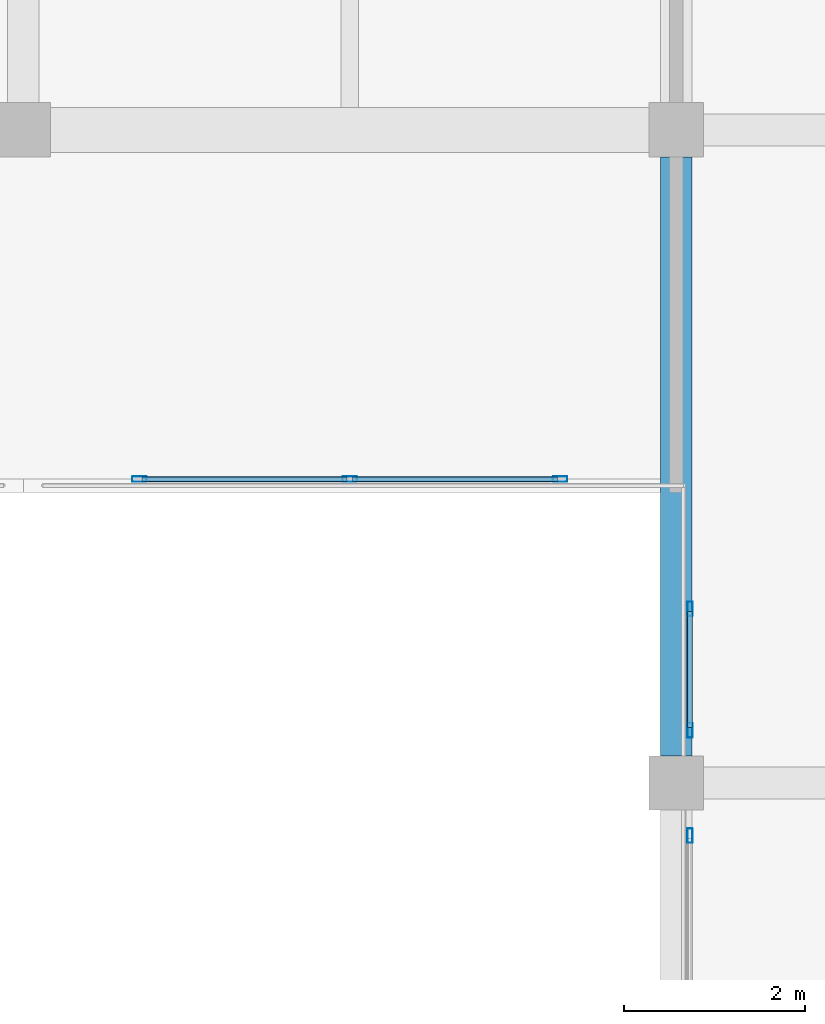
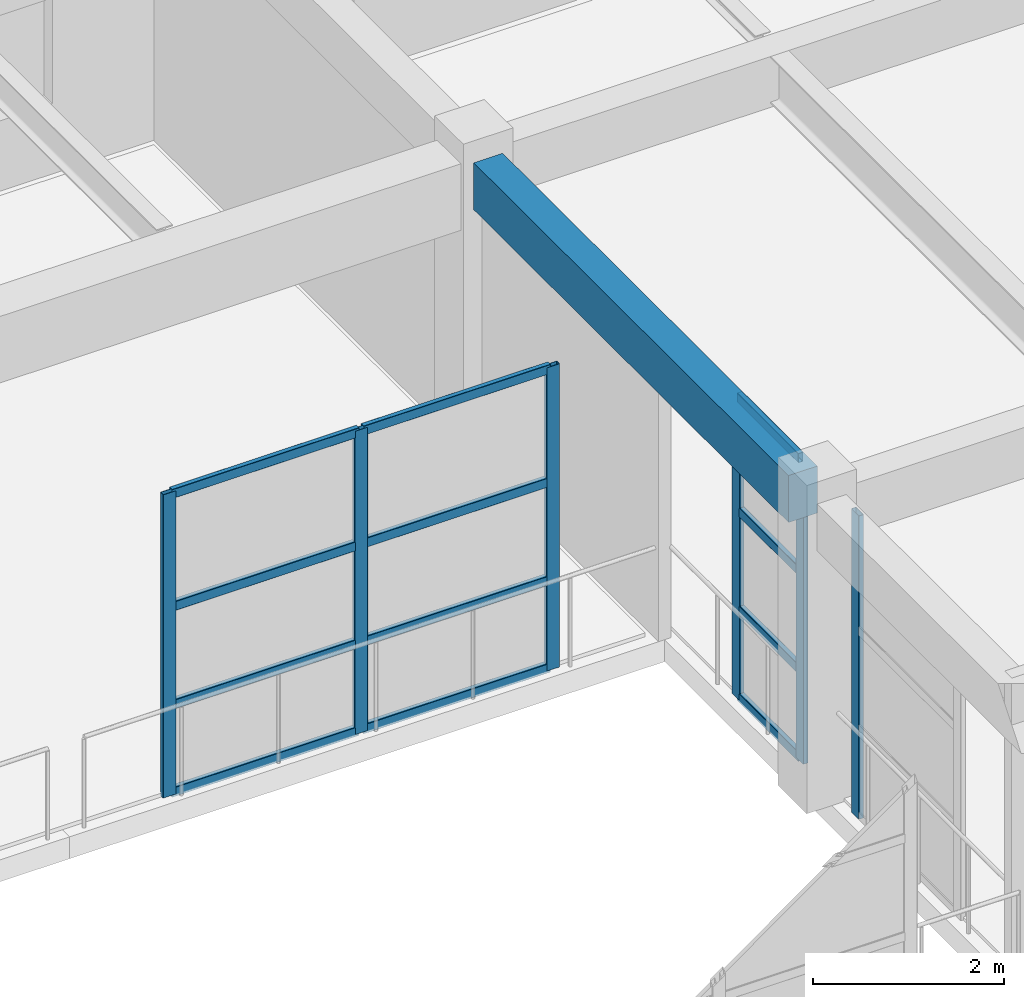
# One storey, part 18 of 49: 18 members, 1 beam, 3 elements without a shape of their own.
"""IFC4 building model written with IfcOpenShell, lengths in metres."""

from ifc_helpers import new_model, si_unit, direction, frame, origin, origin_2d, place, context, subcontext, project, spatial, rectangle, hollow_rectangle, extrude, material, material_profile, profile_set, type_object, element, aggregate, save


model = new_model("IFC4")

# Units and contexts
model_context = context("Model", 3, precision=1e-05, world=origin(), true_north=direction((0.0, 1.0)))
body_context = subcontext(model_context, "Body", "Model", "MODEL_VIEW")
ifc_project = project(units=[si_unit("LENGTHUNIT", "METRE"), si_unit("AREAUNIT", "SQUARE_METRE"), si_unit("VOLUMEUNIT", "CUBIC_METRE"), si_unit("PLANEANGLEUNIT", "RADIAN"), si_unit("MASSUNIT", "GRAM", prefix="KILO")], contexts=[model_context])

# Site, building, storey
site_placement = place(None, origin())
site = spatial("IfcSite", under=ifc_project, at=site_placement, CompositionType="ELEMENT")
building_placement = place(site_placement, origin())
building = spatial("IfcBuilding", under=site, at=building_placement, Name="Bramveld Media Centre", CompositionType="ELEMENT")
storey_placement = place(building_placement, frame((0.0, 0.0, 9.60009765625)))
storey = spatial("IfcBuildingStorey", under=building, at=storey_placement, Name="L02", CompositionType="ELEMENT", Elevation=9.60009765625)

# Beam
ifc_material_1 = material(Name="Concrete C40/50", Category="concrete")
ifc_material_profile_1 = material_profile(ifc_material_1, rectangle(XDim=0.35009765625, YDim=0.60009765625, at=origin_2d()), Name="RC 350x600")
ifc_profile_set_1 = profile_set([ifc_material_profile_1], Name="Concrete C40/50")
beam_type = type_object("IfcBeamType", Name="BM-INT-RC-350x600", PredefinedType="BEAM", material=ifc_profile_set_1)
beam_placement = place(storey_placement, frame((94.39990234375, 105.10009765625, 3.619873046875), z_axis=(0.0, 1.0, 0.0), x_axis=(-1.0, 0.0, 0.0)))
element("IfcBeam", 1, at=beam_placement, inside=storey, type_object=beam_type, Name="V6 L02 girder Y-1106", PredefinedType="BEAM", context=body_context, shape_type="SweptSolid", body=[
    extrude(rectangle(XDim=0.35009765625, YDim=0.60009765625, at=origin_2d()), origin(), (0.0, 0.0, 1.0), 6.599853515625),
])

# Curtain wall, members
ifc_material_2 = material(Name="Thermally broken anodized bronze aluminium unitized curtain wall with solar-control triple glazing", Category="aluminium")
curtain_wall_type_1 = type_object("IfcCurtainWallType", Name="CW-ATR-4700x3880", PredefinedType="NOTDEFINED", material=ifc_material_2)
curtain_wall_1_placement = place(storey_placement, origin())
curtain_wall_1 = element("IfcCurtainWall", 2, at=curtain_wall_1_placement, inside=storey, type_object=curtain_wall_type_1, Name="V6 L02 atrium acoustic screen N2-1", PredefinedType="NOTDEFINED")
ifc_material_3 = material(Name="Thermally broken anodized bronze aluminium EN AW-6063 T6 curtain-wall framing", Category="aluminium")
ifc_material_profile_2 = material_profile(ifc_material_3, hollow_rectangle(XDim=0.06005859375, YDim=0.159912109375, WallThickness=0.00390625, InnerFilletRadius=0.00390625, OuterFilletRadius=0.008056640625, at=origin_2d()), Name="AL-MULL 60x160")
ifc_profile_set_2 = profile_set([ifc_material_profile_2], Name="Thermally broken anodized bronze aluminium EN AW-6063 T6 curtain-wall framing")
member_type_1 = type_object("IfcMemberType", Name="CW-MULL-INT", PredefinedType="MULLION", material=ifc_profile_set_2)
member_1_placement = place(storey_placement, frame((88.47998046875, 108.14990234375, 0.0), z_axis=(0.0, 0.0, 1.0), x_axis=(0.0, 1.0, 0.0)))
member_1 = element("IfcMember", 3, at=member_1_placement, type_object=member_type_1, Name="CW-AT-4738 mullion 1", PredefinedType="MULLION", context=body_context, shape_type="SweptSolid", body=[
    extrude(hollow_rectangle(XDim=0.06005859375, YDim=0.159912109375, WallThickness=0.00390625, InnerFilletRadius=0.00390625, OuterFilletRadius=0.008056640625, at=origin_2d()), origin(), (0.0, 0.0, 1.0), 3.8798828125),
])
member_2_placement = place(storey_placement, frame((90.800048828125, 108.14990234375, 0.0), z_axis=(0.0, 0.0, 1.0), x_axis=(0.0, 1.0, 0.0)))
member_2 = element("IfcMember", 4, at=member_2_placement, type_object=member_type_1, Name="CW-AT-4738 mullion 2", PredefinedType="MULLION", context=body_context, shape_type="SweptSolid", body=[
    extrude(hollow_rectangle(XDim=0.06005859375, YDim=0.159912109375, WallThickness=0.00390625, InnerFilletRadius=0.00390625, OuterFilletRadius=0.008056640625, at=origin_2d()), origin(), (0.0, 0.0, 1.0), 3.8798828125),
])
member_3_placement = place(storey_placement, frame((93.1201171875, 108.14990234375, 0.0), z_axis=(0.0, 0.0, 1.0), x_axis=(0.0, 1.0, 0.0)))
member_3 = element("IfcMember", 5, at=member_3_placement, type_object=member_type_1, Name="CW-AT-4738 mullion 3", PredefinedType="MULLION", context=body_context, shape_type="SweptSolid", body=[
    extrude(hollow_rectangle(XDim=0.06005859375, YDim=0.159912109375, WallThickness=0.00390625, InnerFilletRadius=0.00390625, OuterFilletRadius=0.008056640625, at=origin_2d()), origin(), (0.0, 0.0, 1.0), 3.8798828125),
])

# Curtain wall, member
ifc_material_4 = material(Name="Thermally broken anodized bronze aluminium unitized curtain wall with solar-control triple glazing", Category="aluminium")
curtain_wall_type_2 = type_object("IfcCurtainWallType", Name="CW-ATR-2200x3880", PredefinedType="NOTDEFINED", material=ifc_material_4)
curtain_wall_2_placement = place(storey_placement, origin())
curtain_wall_2 = element("IfcCurtainWall", 6, at=curtain_wall_2_placement, inside=storey, type_object=curtain_wall_type_2, Name="V6 L02 atrium acoustic screen E-1", PredefinedType="NOTDEFINED")
member_4_placement = place(storey_placement, frame((94.550048828125, 104.219970703125, 0.0), z_axis=(0.0, 0.0, 1.0), x_axis=(-1.0, 0.0, 0.0)))
member_4 = element("IfcMember", 7, at=member_4_placement, type_object=member_type_1, Name="CW-AT-2238 mullion 2", PredefinedType="MULLION", context=body_context, shape_type="SweptSolid", body=[
    extrude(hollow_rectangle(XDim=0.06005859375, YDim=0.159912109375, WallThickness=0.00390625, InnerFilletRadius=0.00390625, OuterFilletRadius=0.008056640625, at=origin_2d()), origin(), (0.0, 0.0, 1.0), 3.8798828125),
])
aggregate(curtain_wall_2, [member_4])

# Curtain wall, members
ifc_material_5 = material(Name="Thermally broken anodized bronze aluminium unitized curtain wall with solar-control triple glazing", Category="aluminium")
curtain_wall_type_3 = type_object("IfcCurtainWallType", Name="CW-ATR-1400x3880", PredefinedType="NOTDEFINED", material=ifc_material_5)
curtain_wall_3_placement = place(storey_placement, origin())
curtain_wall_3 = element("IfcCurtainWall", 8, at=curtain_wall_3_placement, inside=storey, type_object=curtain_wall_type_3, Name="V6 L02 atrium acoustic screen E-2", PredefinedType="NOTDEFINED")
member_5_placement = place(storey_placement, frame((94.550048828125, 105.3798828125, 0.0), z_axis=(0.0, 0.0, 1.0), x_axis=(-1.0, 0.0, 0.0)))
member_5 = element("IfcMember", 9, at=member_5_placement, type_object=member_type_1, Name="CW-AT-1438 mullion 1", PredefinedType="MULLION", context=body_context, shape_type="SweptSolid", body=[
    extrude(hollow_rectangle(XDim=0.06005859375, YDim=0.159912109375, WallThickness=0.00390625, InnerFilletRadius=0.00390625, OuterFilletRadius=0.008056640625, at=origin_2d()), origin(), (0.0, 0.0, 1.0), 3.8798828125),
])
member_6_placement = place(storey_placement, frame((94.550048828125, 106.719970703125, 0.0), z_axis=(0.0, 0.0, 1.0), x_axis=(-1.0, 0.0, 0.0)))
member_6 = element("IfcMember", 10, at=member_6_placement, type_object=member_type_1, Name="CW-AT-1438 mullion 2", PredefinedType="MULLION", context=body_context, shape_type="SweptSolid", body=[
    extrude(hollow_rectangle(XDim=0.06005859375, YDim=0.159912109375, WallThickness=0.00390625, InnerFilletRadius=0.00390625, OuterFilletRadius=0.008056640625, at=origin_2d()), origin(), (0.0, 0.0, 1.0), 3.8798828125),
])

# Member
ifc_material_6 = material(Name="Thermally broken anodized bronze aluminium EN AW-6063 T6 curtain-wall framing", Category="aluminium")
ifc_material_profile_3 = material_profile(ifc_material_6, hollow_rectangle(XDim=0.06005859375, YDim=0.1201171875, WallThickness=0.00341796875, InnerFilletRadius=0.00341796875, OuterFilletRadius=0.007080078125, at=origin_2d()), Name="AL-TRAN 60x120")
ifc_profile_set_3 = profile_set([ifc_material_profile_3], Name="Thermally broken anodized bronze aluminium EN AW-6063 T6 curtain-wall framing")
member_type_2 = type_object("IfcMemberType", Name="CW-TRAN-INT", PredefinedType="USERDEFINED", material=ifc_profile_set_3)
member_7_placement = place(storey_placement, frame((88.510009765625, 108.14990234375, 0.02978515625), z_axis=(1.0, 0.0, 0.0), x_axis=(0.0, 1.0, 0.0)))
member_7 = element("IfcMember", 11, at=member_7_placement, type_object=member_type_2, Name="CW-AT-4738 transom 1.1", ObjectType="TRANSOM", PredefinedType="USERDEFINED", context=body_context, shape_type="SweptSolid", body=[
    extrude(hollow_rectangle(XDim=0.06005859375, YDim=0.1201171875, WallThickness=0.00341796875, InnerFilletRadius=0.00341796875, OuterFilletRadius=0.007080078125, at=origin_2d()), origin(), (0.0, 0.0, 1.0), 2.260009765625),
])

member_8_placement = place(storey_placement, frame((88.510009765625, 108.14990234375, 1.14990234375), z_axis=(1.0, 0.0, 0.0), x_axis=(0.0, 1.0, 0.0)))
member_8 = element("IfcMember", 12, at=member_8_placement, type_object=member_type_2, Name="CW-AT-4738 transom 1.2", ObjectType="TRANSOM", PredefinedType="USERDEFINED", context=body_context, shape_type="SweptSolid", body=[
    extrude(hollow_rectangle(XDim=0.06005859375, YDim=0.1201171875, WallThickness=0.00341796875, InnerFilletRadius=0.00341796875, OuterFilletRadius=0.007080078125, at=origin_2d()), origin(), (0.0, 0.0, 1.0), 2.260009765625),
])

member_9_placement = place(storey_placement, frame((88.510009765625, 108.14990234375, 2.406005859375), z_axis=(1.0, 0.0, 0.0), x_axis=(0.0, 1.0, 0.0)))
member_9 = element("IfcMember", 13, at=member_9_placement, type_object=member_type_2, Name="CW-AT-4738 transom 1.3", ObjectType="TRANSOM", PredefinedType="USERDEFINED", context=body_context, shape_type="SweptSolid", body=[
    extrude(hollow_rectangle(XDim=0.06005859375, YDim=0.1201171875, WallThickness=0.00341796875, InnerFilletRadius=0.00341796875, OuterFilletRadius=0.007080078125, at=origin_2d()), origin(), (0.0, 0.0, 1.0), 2.260009765625),
])

member_10_placement = place(storey_placement, frame((88.510009765625, 108.14990234375, 3.849853515625), z_axis=(1.0, 0.0, 0.0), x_axis=(0.0, 1.0, 0.0)))
member_10 = element("IfcMember", 14, at=member_10_placement, type_object=member_type_2, Name="CW-AT-4738 transom 1.4", ObjectType="TRANSOM", PredefinedType="USERDEFINED", context=body_context, shape_type="SweptSolid", body=[
    extrude(hollow_rectangle(XDim=0.06005859375, YDim=0.1201171875, WallThickness=0.00341796875, InnerFilletRadius=0.00341796875, OuterFilletRadius=0.007080078125, at=origin_2d()), origin(), (0.0, 0.0, 1.0), 2.260009765625),
])

member_11_placement = place(storey_placement, frame((90.830078125, 108.14990234375, 0.02978515625), z_axis=(1.0, 0.0, 0.0), x_axis=(0.0, 1.0, 0.0)))
member_11 = element("IfcMember", 15, at=member_11_placement, type_object=member_type_2, Name="CW-AT-4738 transom 2.1", ObjectType="TRANSOM", PredefinedType="USERDEFINED", context=body_context, shape_type="SweptSolid", body=[
    extrude(hollow_rectangle(XDim=0.06005859375, YDim=0.1201171875, WallThickness=0.00341796875, InnerFilletRadius=0.00341796875, OuterFilletRadius=0.007080078125, at=origin_2d()), origin(), (0.0, 0.0, 1.0), 2.260009765625),
])

member_12_placement = place(storey_placement, frame((90.830078125, 108.14990234375, 1.14990234375), z_axis=(1.0, 0.0, 0.0), x_axis=(0.0, 1.0, 0.0)))
member_12 = element("IfcMember", 16, at=member_12_placement, type_object=member_type_2, Name="CW-AT-4738 transom 2.2", ObjectType="TRANSOM", PredefinedType="USERDEFINED", context=body_context, shape_type="SweptSolid", body=[
    extrude(hollow_rectangle(XDim=0.06005859375, YDim=0.1201171875, WallThickness=0.00341796875, InnerFilletRadius=0.00341796875, OuterFilletRadius=0.007080078125, at=origin_2d()), origin(), (0.0, 0.0, 1.0), 2.260009765625),
])

member_13_placement = place(storey_placement, frame((90.830078125, 108.14990234375, 2.406005859375), z_axis=(1.0, 0.0, 0.0), x_axis=(0.0, 1.0, 0.0)))
member_13 = element("IfcMember", 17, at=member_13_placement, type_object=member_type_2, Name="CW-AT-4738 transom 2.3", ObjectType="TRANSOM", PredefinedType="USERDEFINED", context=body_context, shape_type="SweptSolid", body=[
    extrude(hollow_rectangle(XDim=0.06005859375, YDim=0.1201171875, WallThickness=0.00341796875, InnerFilletRadius=0.00341796875, OuterFilletRadius=0.007080078125, at=origin_2d()), origin(), (0.0, 0.0, 1.0), 2.260009765625),
])

member_14_placement = place(storey_placement, frame((90.830078125, 108.14990234375, 3.849853515625), z_axis=(1.0, 0.0, 0.0), x_axis=(0.0, 1.0, 0.0)))
member_14 = element("IfcMember", 18, at=member_14_placement, type_object=member_type_2, Name="CW-AT-4738 transom 2.4", ObjectType="TRANSOM", PredefinedType="USERDEFINED", context=body_context, shape_type="SweptSolid", body=[
    extrude(hollow_rectangle(XDim=0.06005859375, YDim=0.1201171875, WallThickness=0.00341796875, InnerFilletRadius=0.00341796875, OuterFilletRadius=0.007080078125, at=origin_2d()), origin(), (0.0, 0.0, 1.0), 2.260009765625),
])

aggregate(curtain_wall_1, [member_1, member_2, member_3, member_7, member_8, member_9, member_10, member_11, member_12, member_13, member_14])

member_15_placement = place(storey_placement, frame((94.550048828125, 105.409912109375, 0.02978515625), z_axis=(0.0, 1.0, 0.0), x_axis=(-1.0, 0.0, 0.0)))
member_15 = element("IfcMember", 19, at=member_15_placement, type_object=member_type_2, Name="CW-AT-1438 transom 1.1", ObjectType="TRANSOM", PredefinedType="USERDEFINED", context=body_context, shape_type="SweptSolid", body=[
    extrude(hollow_rectangle(XDim=0.06005859375, YDim=0.1201171875, WallThickness=0.00341796875, InnerFilletRadius=0.00341796875, OuterFilletRadius=0.007080078125, at=origin_2d()), origin(), (0.0, 0.0, 1.0), 1.280029296875),
])

member_16_placement = place(storey_placement, frame((94.550048828125, 105.409912109375, 1.14990234375), z_axis=(0.0, 1.0, 0.0), x_axis=(-1.0, 0.0, 0.0)))
member_16 = element("IfcMember", 20, at=member_16_placement, type_object=member_type_2, Name="CW-AT-1438 transom 1.2", ObjectType="TRANSOM", PredefinedType="USERDEFINED", context=body_context, shape_type="SweptSolid", body=[
    extrude(hollow_rectangle(XDim=0.06005859375, YDim=0.1201171875, WallThickness=0.00341796875, InnerFilletRadius=0.00341796875, OuterFilletRadius=0.007080078125, at=origin_2d()), origin(), (0.0, 0.0, 1.0), 1.280029296875),
])

member_17_placement = place(storey_placement, frame((94.550048828125, 105.409912109375, 2.406005859375), z_axis=(0.0, 1.0, 0.0), x_axis=(-1.0, 0.0, 0.0)))
member_17 = element("IfcMember", 21, at=member_17_placement, type_object=member_type_2, Name="CW-AT-1438 transom 1.3", ObjectType="TRANSOM", PredefinedType="USERDEFINED", context=body_context, shape_type="SweptSolid", body=[
    extrude(hollow_rectangle(XDim=0.06005859375, YDim=0.1201171875, WallThickness=0.00341796875, InnerFilletRadius=0.00341796875, OuterFilletRadius=0.007080078125, at=origin_2d()), origin(), (0.0, 0.0, 1.0), 1.280029296875),
])

member_18_placement = place(storey_placement, frame((94.550048828125, 105.409912109375, 3.849853515625), z_axis=(0.0, 1.0, 0.0), x_axis=(-1.0, 0.0, 0.0)))
member_18 = element("IfcMember", 22, at=member_18_placement, type_object=member_type_2, Name="CW-AT-1438 transom 1.4", ObjectType="TRANSOM", PredefinedType="USERDEFINED", context=body_context, shape_type="SweptSolid", body=[
    extrude(hollow_rectangle(XDim=0.06005859375, YDim=0.1201171875, WallThickness=0.00341796875, InnerFilletRadius=0.00341796875, OuterFilletRadius=0.007080078125, at=origin_2d()), origin(), (0.0, 0.0, 1.0), 1.280029296875),
])

aggregate(curtain_wall_3, [member_5, member_6, member_15, member_16, member_17, member_18])

save(model, "model.ifc")
